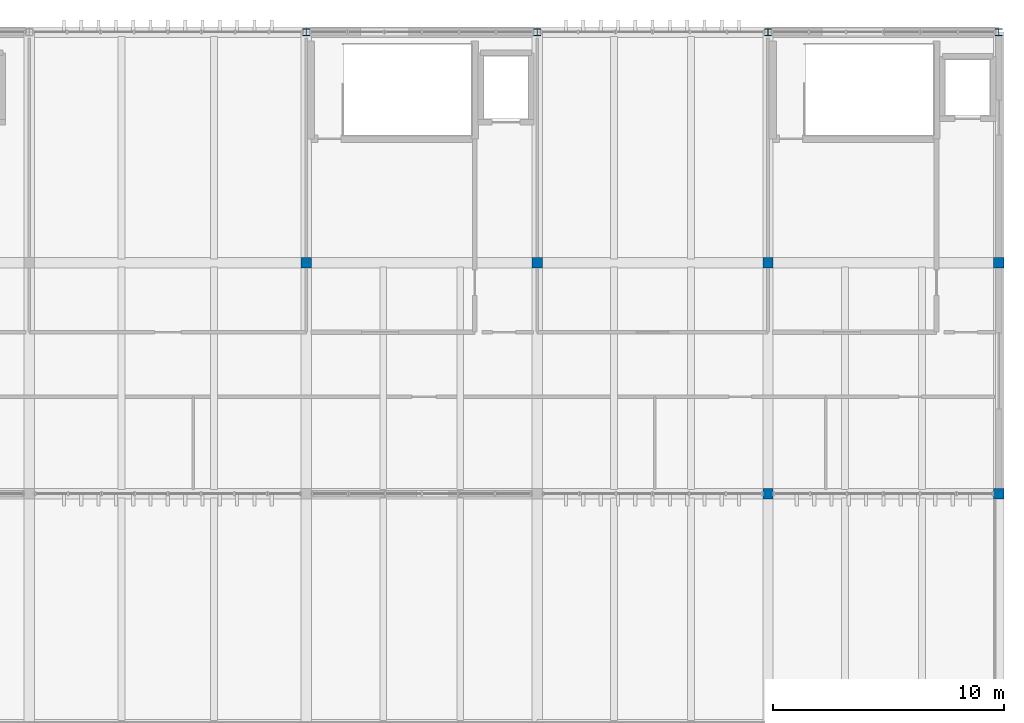
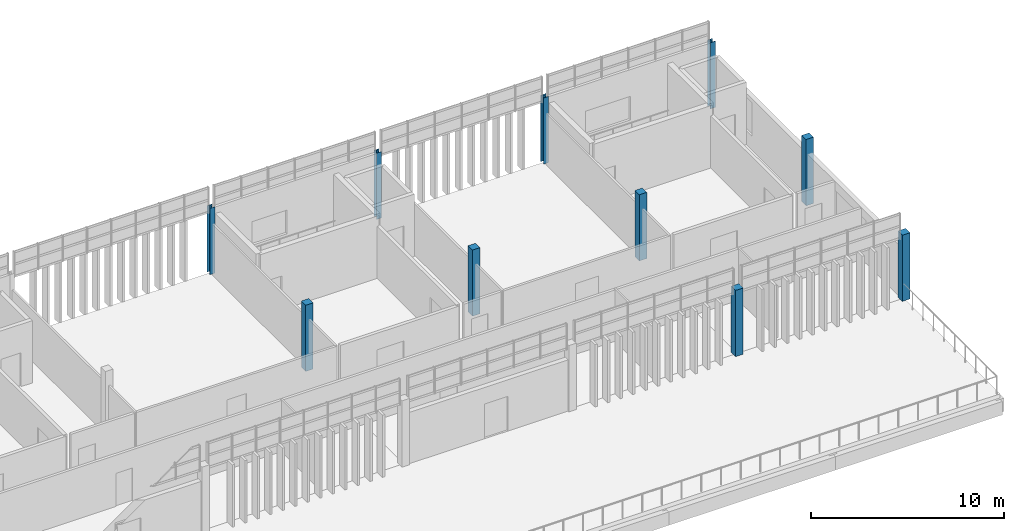
# One storey, part 2 of 36: 10 columns.
"""IFC4 building model written with IfcOpenShell, lengths in metres."""

from ifc_helpers import new_model, si_unit, direction, frame, origin, origin_2d, place, context, subcontext, project, spatial, rectangle, i_section, extrude, material, material_profile, profile_set, type_object, element, save


model = new_model("IFC4")

# Units and contexts
model_context = context("Model", 3, precision=1e-05, world=origin(), true_north=direction((0.0, 1.0)))
body_context = subcontext(model_context, "Body", "Model", "MODEL_VIEW")
ifc_project = project(units=[si_unit("LENGTHUNIT", "METRE"), si_unit("AREAUNIT", "SQUARE_METRE"), si_unit("VOLUMEUNIT", "CUBIC_METRE"), si_unit("PLANEANGLEUNIT", "RADIAN"), si_unit("MASSUNIT", "GRAM", prefix="KILO")], contexts=[model_context])

# Site, building, storey
site_placement = place(None, origin())
site = spatial("IfcSite", under=ifc_project, at=site_placement, CompositionType="ELEMENT")
building_placement = place(site_placement, origin())
building = spatial("IfcBuilding", under=site, at=building_placement, Name="Mersad Railyard Sports Hall", CompositionType="ELEMENT")
storey_placement = place(building_placement, frame((0.0, 0.0, 21.60009765625)))
storey = spatial("IfcBuildingStorey", under=building, at=storey_placement, Name="L05", CompositionType="ELEMENT", Elevation=21.60009765625)

# Columns
ifc_material_1 = material(Name="Concrete C40/50", Category="concrete")
ifc_material_profile_1 = material_profile(ifc_material_1, rectangle(XDim=0.449951171875, YDim=0.449951171875, at=origin_2d()), Name="RC 450x450")
ifc_profile_set_1 = profile_set([ifc_material_profile_1], Name="Concrete C40/50")
column_type_1 = type_object("IfcColumnType", Name="STR-COL-C06", PredefinedType="COLUMN", material=ifc_profile_set_1)
for number, where, z_axis, x_axis, name in (
    (1, (91.0, 105.0, 0.0), (0.0, 0.0, 1.0), (1.0, 0.0, 0.0), "Column C06 L05 (91.0,105.0)"),
    (2, (101.0, 105.0, 0.0), (0.0, 0.0, 1.0), (1.0, 0.0, 0.0), "Column C06 L05 (101.0,105.0)"),
    (3, (111.0, 95.0, 0.0), (0.0, 0.0, 1.0), (1.0, 0.0, 0.0), "Column C06 L05 (111.0,95.0)"),
    (4, (111.0, 105.0, 0.0), (0.0, 0.0, 1.0), (1.0, 0.0, 0.0), "Column C06 L05 (111.0,105.0)"),
    (5, (121.0, 95.0, 0.0), (0.0, 0.0, 1.0), (1.0, 0.0, 0.0), "Column C06 L05 (121.0,95.0)"),
    (6, (121.0, 105.0, 0.0), (0.0, 0.0, 1.0), (1.0, 0.0, 0.0), "Column C06 L05 (121.0,105.0)"),
):
    element("IfcColumn", number, at=place(storey_placement, frame(where, z_axis=z_axis, x_axis=x_axis)), inside=storey, type_object=column_type_1, Name=name, PredefinedType="COLUMN", context=body_context, shape_type="SweptSolid", body=[
        extrude(rectangle(XDim=0.449951171875, YDim=0.449951171875, at=origin_2d()), origin(), (0.0, 0.0, 1.0), 4.199951171875),
    ])
ifc_material_2 = material(Name="Steel S355", Category="steel")
ifc_material_profile_2 = material_profile(ifc_material_2, i_section(OverallWidth=0.300048828125, OverallDepth=0.300048828125, WebThickness=0.010986328125, FlangeThickness=0.01904296875, at=origin_2d()), Name="HEB 300")
ifc_profile_set_2 = profile_set([ifc_material_profile_2], Name="Steel S355")
column_type_2 = type_object("IfcColumnType", Name="STR-COL-C10", PredefinedType="COLUMN", material=ifc_profile_set_2)
for number, where, z_axis, x_axis, name in (
    (7, (91.0, 115.0, 0.0), (0.0, 0.0, 1.0), (1.0, 0.0, 0.0), "Column C10 L05 (91.0,115.0)"),
    (8, (101.0, 115.0, 0.0), (0.0, 0.0, 1.0), (1.0, 0.0, 0.0), "Column C10 L05 (101.0,115.0)"),
    (9, (111.0, 115.0, 0.0), (0.0, 0.0, 1.0), (1.0, 0.0, 0.0), "Column C10 L05 (111.0,115.0)"),
    (10, (121.0, 115.0, 0.0), (0.0, 0.0, 1.0), (1.0, 0.0, 0.0), "Column C10 L05 (121.0,115.0)"),
):
    element("IfcColumn", number, at=place(storey_placement, frame(where, z_axis=z_axis, x_axis=x_axis)), inside=storey, type_object=column_type_2, Name=name, PredefinedType="COLUMN", context=body_context, shape_type="SweptSolid", body=[
        extrude(i_section(OverallWidth=0.300048828125, OverallDepth=0.300048828125, WebThickness=0.010986328125, FlangeThickness=0.01904296875, at=origin_2d()), origin(), (0.0, 0.0, 1.0), 4.199951171875),
    ])

save(model, "model.ifc")
